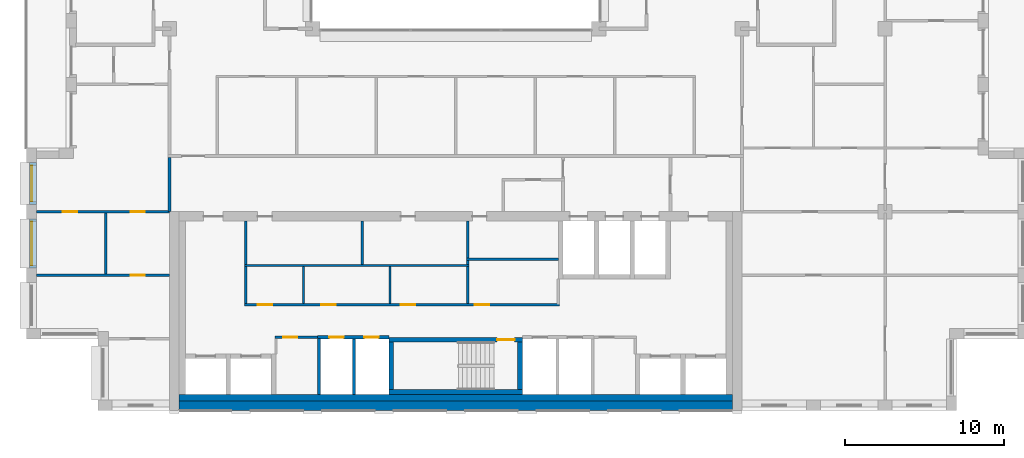
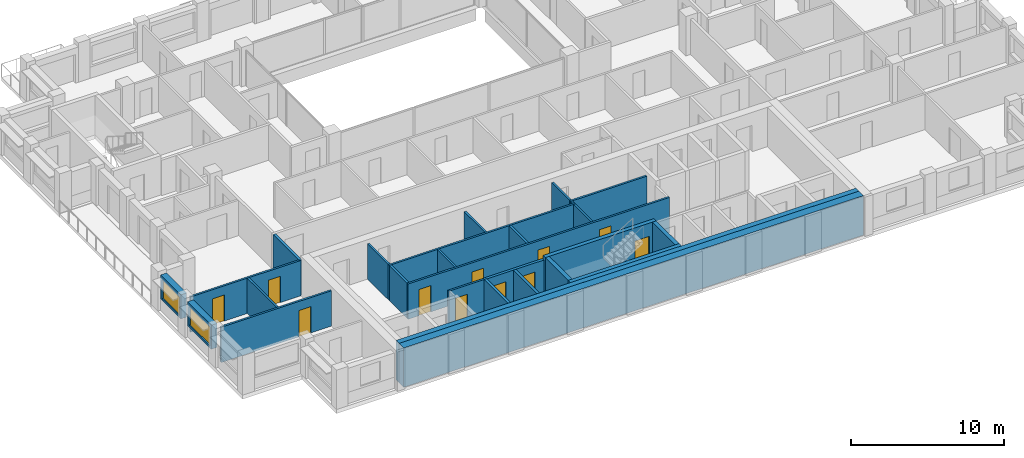
# One storey, part 8 of 15: 27 walls, 11 doors, 2 windows, 13 openings.
"""IFC4 building model written with IfcOpenShell, lengths in metres."""

from ifc_helpers import new_model, si_unit, direction, frame, frame_2d, origin, place, context, subcontext, project, spatial, rectangle, extrude, material, layer, layer_set, type_object, element, fill, save


model = new_model("IFC4")

# Units and contexts
model_context = context("Model", 3, precision=1e-05, world=origin(), true_north=direction((0.0, 1.0)))
body_context = subcontext(model_context, "Body", "Model", "MODEL_VIEW")
ifc_project = project(units=[si_unit("LENGTHUNIT", "METRE"), si_unit("AREAUNIT", "SQUARE_METRE"), si_unit("VOLUMEUNIT", "CUBIC_METRE"), si_unit("PLANEANGLEUNIT", "RADIAN"), si_unit("MASSUNIT", "GRAM", prefix="KILO")], contexts=[model_context])

# Site, building, storey
site_placement = place(None, origin())
site = spatial("IfcSite", under=ifc_project, at=site_placement, CompositionType="ELEMENT")
building_placement = place(site_placement, origin())
building = spatial("IfcBuilding", under=site, at=building_placement, Name="Brigalow Station Residences", CompositionType="ELEMENT")
storey_placement = place(building_placement, frame((0.0, 0.0, 207.449951171875)))
storey = spatial("IfcBuildingStorey", under=building, at=storey_placement, Name="L59", CompositionType="ELEMENT", Elevation=207.449951171875)

# Wall, opening, window
ifc_material_1 = material(Name="Clay brick masonry", Category="masonry")
ifc_layer_1 = layer(ifc_material_1, 0.449951171875)
ifc_layer_set_1 = layer_set([ifc_layer_1], Name="BRICK INFILL WALL 450")
wall_type_1 = type_object("IfcWallType", Name="BRICK INFILL WALL 450", PredefinedType="SOLIDWALL", material=ifc_layer_set_1)
wall_1_placement = place(storey_placement, frame((9.425048828125, 15.60009765625, 0.900146484375), z_axis=(0.0, 0.0, 1.0), x_axis=(0.0, -1.0, 0.0)))
wall_1 = element("IfcWall", 1, at=wall_1_placement, inside=storey, type_object=wall_type_1, Name="L59/ewall/W-L59-41", PredefinedType="SOLIDWALL", context=body_context, shape_type="SweptSolid", body=[
    extrude(rectangle(XDim=2.650146484375, YDim=0.449951171875, at=frame_2d((1.3251953125, 0.0))), origin(), (0.0, 0.0, 1.0), 1.929931640625),
])
opening_1_placement = place(wall_1_placement, frame((0.199951171875, 0.0, 0.14990234375)))
opening_1 = element("IfcOpeningElement", 2, at=opening_1_placement, cuts=wall_1, Name="Opening WT-6", PredefinedType="OPENING", context=body_context, shape_type="SweptSolid", body=[
    extrude(rectangle(XDim=2.25, YDim=1.5, at=frame_2d((1.125, 0.75))), frame((0.0, 0.23486328125, 0.0), z_axis=(0.0, -1.0, 0.0), x_axis=(1.0, 0.0, 0.0)), (0.0, 0.0, 1.0), 0.469970703125),
])
ifc_material_2 = material(Name="Anodised aluminium frame with double glazing", Category="aluminium")
window_type_1 = type_object("IfcWindowType", Name="WINDOW 2250x1500", PartitioningType="SINGLE_PANEL", PredefinedType="WINDOW", material=ifc_material_2)
window_1_placement = place(opening_1_placement, origin())
window_1 = element("IfcWindow", 3, at=window_1_placement, inside=storey, type_object=window_type_1, Name="L59/window/W-L59-41", OverallHeight=1.5, OverallWidth=2.25, PartitioningType="SINGLE_PANEL", PredefinedType="WINDOW", context=body_context, shape_type="SweptSolid", body=[
    extrude(rectangle(XDim=2.25, YDim=1.5, at=frame_2d((1.125, 0.75))), frame((0.0, -0.06494140625, 0.0), z_axis=(0.0, -1.0, 0.0), x_axis=(1.0, 0.0, 0.0)), (0.0, 0.0, 1.0), 0.06005859375),
])
fill(opening_1, window_1)

wall_2_placement = place(storey_placement, frame((9.425048828125, 12.050048828125, 0.900146484375), z_axis=(0.0, 0.0, 1.0), x_axis=(0.0, -1.0, 0.0)))
wall_2 = element("IfcWall", 4, at=wall_2_placement, inside=storey, type_object=wall_type_1, Name="L59/ewall/W-L59-42", PredefinedType="SOLIDWALL", context=body_context, shape_type="SweptSolid", body=[
    extrude(rectangle(XDim=3.10009765625, YDim=0.449951171875, at=frame_2d((1.550048828125, 0.0))), origin(), (0.0, 0.0, 1.0), 1.929931640625),
])
opening_2_placement = place(wall_2_placement, frame((0.175048828125, 0.0, 0.14990234375)))
opening_2 = element("IfcOpeningElement", 5, at=opening_2_placement, cuts=wall_2, Name="Opening WT-3", PredefinedType="OPENING", context=body_context, shape_type="SweptSolid", body=[
    extrude(rectangle(XDim=2.75, YDim=1.5, at=frame_2d((1.375, 0.75))), frame((0.0, 0.23486328125, 0.0), z_axis=(0.0, -1.0, 0.0), x_axis=(1.0, 0.0, 0.0)), (0.0, 0.0, 1.0), 0.469970703125),
])
ifc_material_3 = material(Name="Anodised aluminium frame with double glazing", Category="aluminium")
window_type_2 = type_object("IfcWindowType", Name="WINDOW 2750x1500", PartitioningType="SINGLE_PANEL", PredefinedType="WINDOW", material=ifc_material_3)
window_2_placement = place(opening_2_placement, origin())
window_2 = element("IfcWindow", 6, at=window_2_placement, inside=storey, type_object=window_type_2, Name="L59/window/W-L59-42", OverallHeight=1.5, OverallWidth=2.75, PartitioningType="SINGLE_PANEL", PredefinedType="WINDOW", context=body_context, shape_type="SweptSolid", body=[
    extrude(rectangle(XDim=2.75, YDim=1.5, at=frame_2d((1.375, 0.75))), frame((0.0, -0.06494140625, 0.0), z_axis=(0.0, -1.0, 0.0), x_axis=(1.0, 0.0, 0.0)), (0.0, 0.0, 1.0), 0.06005859375),
])
fill(opening_2, window_2)

# Wall
ifc_material_4 = material(Name="Concrete C50", Category="concrete")
ifc_layer_2 = layer(ifc_material_4, 0.300048828125)
ifc_layer_set_2 = layer_set([ifc_layer_2], Name="CORE SHEAR WALL 300 C50")
wall_type_2 = type_object("IfcWallType", Name="CORE SHEAR WALL 300 C50", PredefinedType="SHEAR", material=ifc_layer_set_2)
wall_3_placement = place(storey_placement, frame((31.800048828125, 1.14990234375, 0.0), z_axis=(0.0, 0.0, 1.0), x_axis=(1.0, 0.0, 0.0)))
element("IfcWall", 7, at=wall_3_placement, inside=storey, type_object=wall_type_2, Name="CORE WALL ST-S2-S L59", PredefinedType="SHEAR", context=body_context, shape_type="SweptSolid", body=[
    extrude(rectangle(XDim=8.39990234375, YDim=0.300048828125, at=frame_2d((4.199951171875, 0.0))), origin(), (0.0, 0.0, 1.0), 3.150146484375),
])

# Wall, opening, door
wall_4_placement = place(storey_placement, frame((31.800048828125, 4.449951171875, 0.0), z_axis=(0.0, 0.0, 1.0), x_axis=(1.0, 0.0, 0.0)))
wall_4 = element("IfcWall", 8, at=wall_4_placement, inside=storey, type_object=wall_type_2, Name="CORE WALL ST-S2-N L59", PredefinedType="SHEAR", context=body_context, shape_type="SweptSolid", body=[
    extrude(rectangle(XDim=8.39990234375, YDim=0.300048828125, at=frame_2d((4.199951171875, 0.0))), origin(), (0.0, 0.0, 1.0), 3.150146484375),
])
opening_3_placement = place(wall_4_placement, frame((6.800048828125, 0.0, 0.0)))
opening_3 = element("IfcOpeningElement", 9, at=opening_3_placement, cuts=wall_4, Name="Opening D-5001", PredefinedType="OPENING", context=body_context, shape_type="SweptSolid", body=[
    extrude(rectangle(XDim=1.10009765625, YDim=2.10009765625, at=frame_2d((0.550048828125, 1.050048828125))), frame((0.0, 0.16015625, 0.0), z_axis=(0.0, -1.0, 0.0), x_axis=(1.0, 0.0, 0.0)), (0.0, 0.0, 1.0), 0.320068359375),
])
ifc_material_5 = material(Name="Steel fire door leaf in steel frame", Category="steel")
door_type_1 = type_object("IfcDoorType", Name="STAIR DOOR 1100 x 2100 FD60S", OperationType="SINGLE_SWING_LEFT", PredefinedType="DOOR", material=ifc_material_5)
door_1_placement = place(opening_3_placement, frame((1.10009765625, 0.0, 0.0), z_axis=(0.0, 0.0, 1.0), x_axis=(-1.0, 0.0, 0.0)))
door_1 = element("IfcDoor", 10, at=door_1_placement, inside=storey, type_object=door_type_1, Name="D-5001", OperationType="SINGLE_SWING_LEFT", OverallHeight=2.10009765625, OverallWidth=1.10009765625, PredefinedType="DOOR", context=body_context, shape_type="SweptSolid", body=[
    extrude(rectangle(XDim=1.10009765625, YDim=2.10009765625, at=frame_2d((0.550048828125, 1.050048828125))), frame((0.0, 0.02490234375, 0.0), z_axis=(0.0, -1.0, 0.0), x_axis=(1.0, 0.0, 0.0)), (0.0, 0.0, 1.0), 0.050048828125),
])
fill(opening_3, door_1)

# Walls
for number, where, z_axis, x_axis, name in (
    (11, (31.949951171875, 1.300048828125, 0.0), (0.0, 0.0, 1.0), (0.0, 1.0, 0.0), "CORE WALL ST-S2-W L59"),
    (12, (40.050048828125, 1.300048828125, 0.0), (0.0, 0.0, 1.0), (0.0, 1.0, 0.0), "CORE WALL ST-S2-E L59"),
):
    element("IfcWall", number, at=place(storey_placement, frame(where, z_axis=z_axis, x_axis=x_axis)), inside=storey, type_object=wall_type_2, Name=name, PredefinedType="SHEAR", context=body_context, shape_type="SweptSolid", body=[
        extrude(rectangle(XDim=3.0, YDim=0.300048828125, at=frame_2d((1.5, 0.0))), origin(), (0.0, 0.0, 1.0), 3.150146484375),
    ])
ifc_material_6 = material(Name="Concrete C50", Category="concrete")
ifc_layer_3 = layer(ifc_material_6, 0.39990234375)
ifc_layer_set_3 = layer_set([ifc_layer_3], Name="CORE SHEAR WALL 400 C50")
wall_type_3 = type_object("IfcWallType", Name="CORE SHEAR WALL 400 C50", PredefinedType="SHEAR", material=ifc_layer_set_3)
wall_5_placement = place(storey_placement, frame((18.60009765625, 0.800048828125, 0.0), z_axis=(0.0, 0.0, 1.0), x_axis=(1.0, 0.0, 0.0)))
element("IfcWall", 13, at=wall_5_placement, inside=storey, type_object=wall_type_3, Name="CORE WALL LIN-S L59", PredefinedType="SHEAR", context=body_context, shape_type="SweptSolid", body=[
    extrude(rectangle(XDim=34.7998046875, YDim=0.39990234375, at=frame_2d((17.39990234375, 0.0))), origin(), (0.0, 0.0, 1.0), 3.150146484375),
])
ifc_material_7 = material(Name="Concrete C50", Category="concrete")
ifc_layer_4 = layer(ifc_material_7, 0.60009765625)
ifc_layer_set_4 = layer_set([ifc_layer_4], Name="CORE SHEAR WALL 600 C50")
wall_type_4 = type_object("IfcWallType", Name="CORE SHEAR WALL 600 C50", PredefinedType="SHEAR", material=ifc_layer_set_4)
wall_6_placement = place(storey_placement, frame((18.60009765625, 0.300048828125, 0.0), z_axis=(0.0, 0.0, 1.0), x_axis=(1.0, 0.0, 0.0)))
element("IfcWall", 14, at=wall_6_placement, inside=storey, type_object=wall_type_4, Name="CORE WALL OUT-S L59", PredefinedType="SHEAR", context=body_context, shape_type="SweptSolid", body=[
    extrude(rectangle(XDim=34.7998046875, YDim=0.60009765625, at=frame_2d((17.39990234375, 0.0))), origin(), (0.0, 0.0, 1.0), 3.150146484375),
])

# Wall, openings, doors
ifc_material_8 = material(Name="Concrete blockwork", Category="masonry")
ifc_layer_5 = layer(ifc_material_8, 0.199951171875)
ifc_layer_set_5 = layer_set([ifc_layer_5], Name="FIRE RATED CORE PARTITION 200")
wall_type_5 = type_object("IfcWallType", Name="FIRE RATED CORE PARTITION 200", PredefinedType="PARTITIONING", material=ifc_layer_set_5)
wall_7_placement = place(storey_placement, frame((27.300048828125, 4.60009765625, 0.0), z_axis=(0.0, 0.0, 1.0), x_axis=(1.0, 0.0, 0.0)))
wall_7 = element("IfcWall", 15, at=wall_7_placement, inside=storey, type_object=wall_type_5, Name="PW-5017", PredefinedType="PARTITIONING", context=body_context, shape_type="SweptSolid", body=[
    extrude(rectangle(XDim=4.5, YDim=0.199951171875, at=frame_2d((2.25, 0.0))), origin(), (0.0, 0.0, 1.0), 2.830078125),
])
opening_4_placement = place(wall_7_placement, frame((0.75, 0.0, 0.0)))
opening_4 = element("IfcOpeningElement", 16, at=opening_4_placement, cuts=wall_7, Name="Opening D-5007", PredefinedType="OPENING", context=body_context, shape_type="SweptSolid", body=[
    extrude(rectangle(XDim=0.89990234375, YDim=2.10009765625, at=frame_2d((0.449951171875, 1.050048828125))), frame((0.0, 0.10986328125, 0.0), z_axis=(0.0, -1.0, 0.0), x_axis=(1.0, 0.0, 0.0)), (0.0, 0.0, 1.0), 0.219970703125),
])
opening_5_placement = place(wall_7_placement, frame((2.949951171875, 0.0, 0.0)))
opening_5 = element("IfcOpeningElement", 17, at=opening_5_placement, cuts=wall_7, Name="Opening D-5008", PredefinedType="OPENING", context=body_context, shape_type="SweptSolid", body=[
    extrude(rectangle(XDim=0.89990234375, YDim=2.10009765625, at=frame_2d((0.449951171875, 1.050048828125))), frame((0.0, 0.10986328125, 0.0), z_axis=(0.0, -1.0, 0.0), x_axis=(1.0, 0.0, 0.0)), (0.0, 0.0, 1.0), 0.219970703125),
])
ifc_material_9 = material(Name="Steel fire door leaf in steel frame", Category="steel")
door_type_2 = type_object("IfcDoorType", Name="RISER ACCESS DOOR 900 x 2100 FD120", OperationType="SINGLE_SWING_LEFT", PredefinedType="DOOR", material=ifc_material_9)
door_2_placement = place(opening_4_placement, frame((0.89990234375, 0.0, 0.0), z_axis=(0.0, 0.0, 1.0), x_axis=(-1.0, 0.0, 0.0)))
door_2 = element("IfcDoor", 18, at=door_2_placement, inside=storey, type_object=door_type_2, Name="D-5007", OperationType="SINGLE_SWING_RIGHT", OverallHeight=2.10009765625, OverallWidth=0.89990234375, PredefinedType="DOOR", context=body_context, shape_type="SweptSolid", body=[
    extrude(rectangle(XDim=0.89990234375, YDim=2.10009765625, at=frame_2d((0.449951171875, 1.050048828125))), frame((0.0, 0.02490234375, 0.0), z_axis=(0.0, -1.0, 0.0), x_axis=(1.0, 0.0, 0.0)), (0.0, 0.0, 1.0), 0.050048828125),
])
fill(opening_4, door_2)
door_3_placement = place(opening_5_placement, frame((0.89990234375, 0.0, 0.0), z_axis=(0.0, 0.0, 1.0), x_axis=(-1.0, 0.0, 0.0)))
door_3 = element("IfcDoor", 19, at=door_3_placement, inside=storey, type_object=door_type_2, Name="D-5008", OperationType="SINGLE_SWING_RIGHT", OverallHeight=2.10009765625, OverallWidth=0.89990234375, PredefinedType="DOOR", context=body_context, shape_type="SweptSolid", body=[
    extrude(rectangle(XDim=0.89990234375, YDim=2.10009765625, at=frame_2d((0.449951171875, 1.050048828125))), frame((0.0, 0.02490234375, 0.0), z_axis=(0.0, -1.0, 0.0), x_axis=(1.0, 0.0, 0.0)), (0.0, 0.0, 1.0), 0.050048828125),
])
fill(opening_5, door_3)

# Walls
wall_8_placement = place(storey_placement, frame((27.39990234375, 1.0, 0.0), z_axis=(0.0, 0.0, 1.0), x_axis=(0.0, 1.0, 0.0)))
element("IfcWall", 20, at=wall_8_placement, inside=storey, type_object=wall_type_5, Name="PW-5027", PredefinedType="PARTITIONING", context=body_context, shape_type="SweptSolid", body=[
    extrude(rectangle(XDim=3.52490234375, YDim=0.199951171875, at=frame_2d((1.762451171875, 0.0))), origin(), (0.0, 0.0, 1.0), 2.830078125),
])
wall_9_placement = place(storey_placement, frame((29.60009765625, 1.0, 0.0), z_axis=(0.0, 0.0, 1.0), x_axis=(0.0, 1.0, 0.0)))
element("IfcWall", 21, at=wall_9_placement, inside=storey, type_object=wall_type_5, Name="PW-5006", PredefinedType="PARTITIONING", context=body_context, shape_type="SweptSolid", body=[
    extrude(rectangle(XDim=3.5, YDim=0.199951171875, at=frame_2d((1.75, 0.0))), origin(), (0.0, 0.0, 1.0), 2.830078125),
])
wall_10_placement = place(storey_placement, frame((18.0, 12.5, 0.0), z_axis=(0.0, 0.0, 1.0), x_axis=(0.0, 1.0, 0.0)))
element("IfcWall", 22, at=wall_10_placement, inside=storey, type_object=wall_type_5, Name="PW-5013", PredefinedType="PARTITIONING", context=body_context, shape_type="SweptSolid", body=[
    extrude(rectangle(XDim=3.39990234375, YDim=0.199951171875, at=frame_2d((1.699951171875, 0.0))), origin(), (0.0, 0.0, 1.0), 2.830078125),
])

# Wall, openings, doors
ifc_material_10 = material(Name="Plasterboard on steel stud partition", Category="steel")
ifc_layer_6 = layer(ifc_material_10, 0.14990234375)
ifc_layer_set_6 = layer_set([ifc_layer_6], Name="FLAT PARTITION 150")
wall_type_6 = type_object("IfcWallType", Name="FLAT PARTITION 150", PredefinedType="PARTITIONING", material=ifc_layer_set_6)
wall_11_placement = place(storey_placement, frame((9.64990234375, 12.5, 0.0), z_axis=(0.0, 0.0, 1.0), x_axis=(1.0, 0.0, 0.0)))
wall_11 = element("IfcWall", 23, at=wall_11_placement, inside=storey, type_object=wall_type_6, Name="PW-4B10", PredefinedType="PARTITIONING", context=body_context, shape_type="SweptSolid", body=[
    extrude(rectangle(XDim=8.35009765625, YDim=0.14990234375, at=frame_2d((4.175048828125, 0.0))), origin(), (0.0, 0.0, 1.0), 2.830078125),
])
opening_6_placement = place(wall_11_placement, frame((1.64990234375, 0.0, 0.0)))
opening_6 = element("IfcOpeningElement", 24, at=opening_6_placement, cuts=wall_11, Name="Opening D-4B06", PredefinedType="OPENING", context=body_context, shape_type="SweptSolid", body=[
    extrude(rectangle(XDim=0.89990234375, YDim=2.10009765625, at=frame_2d((0.449951171875, 1.050048828125))), frame((0.0, 0.0849609375, 0.0), z_axis=(0.0, -1.0, 0.0), x_axis=(1.0, 0.0, 0.0)), (0.0, 0.0, 1.0), 0.169921875),
])
opening_7_placement = place(wall_11_placement, frame((5.89990234375, 0.0, 0.0)))
opening_7 = element("IfcOpeningElement", 25, at=opening_7_placement, cuts=wall_11, Name="Opening D-4B07", PredefinedType="OPENING", context=body_context, shape_type="SweptSolid", body=[
    extrude(rectangle(XDim=0.89990234375, YDim=2.10009765625, at=frame_2d((0.449951171875, 1.050048828125))), frame((0.0, 0.0849609375, 0.0), z_axis=(0.0, -1.0, 0.0), x_axis=(1.0, 0.0, 0.0)), (0.0, 0.0, 1.0), 0.169921875),
])
ifc_material_11 = material(Name="Solid-core timber door leaf", Category="wood")
door_type_3 = type_object("IfcDoorType", Name="INTERNAL DOOR 900 x 2100", OperationType="SINGLE_SWING_LEFT", PredefinedType="DOOR", material=ifc_material_11)
door_4_placement = place(opening_6_placement, frame((0.89990234375, 0.0, 0.0), z_axis=(0.0, 0.0, 1.0), x_axis=(-1.0, 0.0, 0.0)))
door_4 = element("IfcDoor", 26, at=door_4_placement, inside=storey, type_object=door_type_3, Name="D-4B06", OperationType="SINGLE_SWING_RIGHT", OverallHeight=2.10009765625, OverallWidth=0.89990234375, PredefinedType="DOOR", context=body_context, shape_type="SweptSolid", body=[
    extrude(rectangle(XDim=0.89990234375, YDim=2.10009765625, at=frame_2d((0.449951171875, 1.050048828125))), frame((0.0, 0.02490234375, 0.0), z_axis=(0.0, -1.0, 0.0), x_axis=(1.0, 0.0, 0.0)), (0.0, 0.0, 1.0), 0.050048828125),
])
fill(opening_6, door_4)
door_5_placement = place(opening_7_placement, origin())
door_5 = element("IfcDoor", 27, at=door_5_placement, inside=storey, type_object=door_type_3, Name="D-4B07", OperationType="SINGLE_SWING_RIGHT", OverallHeight=2.10009765625, OverallWidth=0.89990234375, PredefinedType="DOOR", context=body_context, shape_type="SweptSolid", body=[
    extrude(rectangle(XDim=0.89990234375, YDim=2.10009765625, at=frame_2d((0.449951171875, 1.050048828125))), frame((0.0, 0.02490234375, 0.0), z_axis=(0.0, -1.0, 0.0), x_axis=(1.0, 0.0, 0.0)), (0.0, 0.0, 1.0), 0.050048828125),
])
fill(opening_7, door_5)

# Wall, opening, door
wall_12_placement = place(storey_placement, frame((9.64990234375, 8.5, 0.0), z_axis=(0.0, 0.0, 1.0), x_axis=(1.0, 0.0, 0.0)))
wall_12 = element("IfcWall", 28, at=wall_12_placement, inside=storey, type_object=wall_type_6, Name="PW-4B12", PredefinedType="PARTITIONING", context=body_context, shape_type="SweptSolid", body=[
    extrude(rectangle(XDim=8.35009765625, YDim=0.14990234375, at=frame_2d((4.175048828125, 0.0))), origin(), (0.0, 0.0, 1.0), 2.830078125),
])
opening_8_placement = place(wall_12_placement, frame((5.89990234375, 0.0, 0.0)))
opening_8 = element("IfcOpeningElement", 29, at=opening_8_placement, cuts=wall_12, Name="Opening D-4B08", PredefinedType="OPENING", context=body_context, shape_type="SweptSolid", body=[
    extrude(rectangle(XDim=0.89990234375, YDim=2.10009765625, at=frame_2d((0.449951171875, 1.050048828125))), frame((0.0, 0.0849609375, 0.0), z_axis=(0.0, -1.0, 0.0), x_axis=(1.0, 0.0, 0.0)), (0.0, 0.0, 1.0), 0.169921875),
])
door_6_placement = place(opening_8_placement, frame((0.89990234375, 0.0, 0.0), z_axis=(0.0, 0.0, 1.0), x_axis=(-1.0, 0.0, 0.0)))
door_6 = element("IfcDoor", 30, at=door_6_placement, inside=storey, type_object=door_type_3, Name="D-4B08", OperationType="SINGLE_SWING_LEFT", OverallHeight=2.10009765625, OverallWidth=0.89990234375, PredefinedType="DOOR", context=body_context, shape_type="SweptSolid", body=[
    extrude(rectangle(XDim=0.89990234375, YDim=2.10009765625, at=frame_2d((0.449951171875, 1.050048828125))), frame((0.0, 0.02490234375, 0.0), z_axis=(0.0, -1.0, 0.0), x_axis=(1.0, 0.0, 0.0)), (0.0, 0.0, 1.0), 0.050048828125),
])
fill(opening_8, door_6)

# Wall
wall_13_placement = place(storey_placement, frame((14.0, 8.574951171875, 0.0), z_axis=(0.0, 0.0, 1.0), x_axis=(0.0, 1.0, 0.0)))
element("IfcWall", 31, at=wall_13_placement, inside=storey, type_object=wall_type_6, Name="PW-4B38", PredefinedType="PARTITIONING", context=body_context, shape_type="SweptSolid", body=[
    extrude(rectangle(XDim=3.85009765625, YDim=0.14990234375, at=frame_2d((1.925048828125, 0.0))), origin(), (0.0, 0.0, 1.0), 2.830078125),
])

# Wall, opening, door
ifc_material_12 = material(Name="Plasterboard on steel studs", Category="steel")
ifc_layer_7 = layer(ifc_material_12, 0.14990234375)
ifc_layer_set_7 = layer_set([ifc_layer_7], Name="SERVICE ROOM PARTITION 150")
wall_type_7 = type_object("IfcWallType", Name="SERVICE ROOM PARTITION 150", PredefinedType="PARTITIONING", material=ifc_layer_set_7)
wall_14_placement = place(storey_placement, frame((24.625, 4.60009765625, 0.0), z_axis=(0.0, 0.0, 1.0), x_axis=(1.0, 0.0, 0.0)))
wall_14 = element("IfcWall", 32, at=wall_14_placement, inside=storey, type_object=wall_type_7, Name="PW-5155", PredefinedType="PARTITIONING", context=body_context, shape_type="SweptSolid", body=[
    extrude(rectangle(XDim=2.675048828125, YDim=0.14990234375, at=frame_2d((1.33740234375, 0.0))), origin(), (0.0, 0.0, 1.0), 2.830078125),
])
opening_9_placement = place(wall_14_placement, frame((0.52490234375, 0.0, 0.0)))
opening_9 = element("IfcOpeningElement", 33, at=opening_9_placement, cuts=wall_14, Name="Opening D-5087", PredefinedType="OPENING", context=body_context, shape_type="SweptSolid", body=[
    extrude(rectangle(XDim=0.89990234375, YDim=2.10009765625, at=frame_2d((0.449951171875, 1.050048828125))), frame((0.0, 0.0849609375, 0.0), z_axis=(0.0, -1.0, 0.0), x_axis=(1.0, 0.0, 0.0)), (0.0, 0.0, 1.0), 0.169921875),
])
ifc_material_13 = material(Name="Steel door leaf in steel frame", Category="steel")
door_type_4 = type_object("IfcDoorType", Name="SERVICE ROOM DOOR 900 x 2100 FD60", OperationType="SINGLE_SWING_LEFT", PredefinedType="DOOR", material=ifc_material_13)
door_7_placement = place(opening_9_placement, frame((0.89990234375, 0.0, 0.0), z_axis=(0.0, 0.0, 1.0), x_axis=(-1.0, 0.0, 0.0)))
door_7 = element("IfcDoor", 34, at=door_7_placement, inside=storey, type_object=door_type_4, Name="D-5087", OperationType="SINGLE_SWING_RIGHT", OverallHeight=2.10009765625, OverallWidth=0.89990234375, PredefinedType="DOOR", context=body_context, shape_type="SweptSolid", body=[
    extrude(rectangle(XDim=0.89990234375, YDim=2.10009765625, at=frame_2d((0.449951171875, 1.050048828125))), frame((0.0, 0.02490234375, 0.0), z_axis=(0.0, -1.0, 0.0), x_axis=(1.0, 0.0, 0.0)), (0.0, 0.0, 1.0), 0.050048828125),
])
fill(opening_9, door_7)

# Wall, openings, doors
wall_15_placement = place(storey_placement, frame((22.72509765625, 6.64990234375, 0.0), z_axis=(0.0, 0.0, 1.0), x_axis=(1.0, 0.0, 0.0)))
wall_15 = element("IfcWall", 35, at=wall_15_placement, inside=storey, type_object=wall_type_7, Name="PW-5195", PredefinedType="PARTITIONING", context=body_context, shape_type="SweptSolid", body=[
    extrude(rectangle(XDim=19.7998046875, YDim=0.14990234375, at=frame_2d((9.89990234375, 0.0))), origin(), (0.0, 0.0, 1.0), 2.830078125),
])
opening_10_placement = place(wall_15_placement, frame((0.824951171875, 0.0, 0.0)))
opening_10 = element("IfcOpeningElement", 36, at=opening_10_placement, cuts=wall_15, Name="Opening D-5110", PredefinedType="OPENING", context=body_context, shape_type="SweptSolid", body=[
    extrude(rectangle(XDim=0.89990234375, YDim=2.10009765625, at=frame_2d((0.449951171875, 1.050048828125))), frame((0.0, 0.0849609375, 0.0), z_axis=(0.0, -1.0, 0.0), x_axis=(1.0, 0.0, 0.0)), (0.0, 0.0, 1.0), 0.169921875),
])
opening_11_placement = place(wall_15_placement, frame((4.824951171875, 0.0, 0.0)))
opening_11 = element("IfcOpeningElement", 37, at=opening_11_placement, cuts=wall_15, Name="Opening D-5116", PredefinedType="OPENING", context=body_context, shape_type="SweptSolid", body=[
    extrude(rectangle(XDim=0.89990234375, YDim=2.10009765625, at=frame_2d((0.449951171875, 1.050048828125))), frame((0.0, 0.0849609375, 0.0), z_axis=(0.0, -1.0, 0.0), x_axis=(1.0, 0.0, 0.0)), (0.0, 0.0, 1.0), 0.169921875),
])
opening_12_placement = place(wall_15_placement, frame((9.824951171875, 0.0, 0.0)))
opening_12 = element("IfcOpeningElement", 38, at=opening_12_placement, cuts=wall_15, Name="Opening D-5117", PredefinedType="OPENING", context=body_context, shape_type="SweptSolid", body=[
    extrude(rectangle(XDim=0.89990234375, YDim=2.10009765625, at=frame_2d((0.449951171875, 1.050048828125))), frame((0.0, 0.0849609375, 0.0), z_axis=(0.0, -1.0, 0.0), x_axis=(1.0, 0.0, 0.0)), (0.0, 0.0, 1.0), 0.169921875),
])
opening_13_placement = place(wall_15_placement, frame((14.47509765625, 0.0, 0.0)))
opening_13 = element("IfcOpeningElement", 39, at=opening_13_placement, cuts=wall_15, Name="Opening D-5114", PredefinedType="OPENING", context=body_context, shape_type="SweptSolid", body=[
    extrude(rectangle(XDim=0.89990234375, YDim=2.10009765625, at=frame_2d((0.449951171875, 1.050048828125))), frame((0.0, 0.0849609375, 0.0), z_axis=(0.0, -1.0, 0.0), x_axis=(1.0, 0.0, 0.0)), (0.0, 0.0, 1.0), 0.169921875),
])
door_8_placement = place(opening_10_placement, origin())
door_8 = element("IfcDoor", 40, at=door_8_placement, inside=storey, type_object=door_type_4, Name="D-5110", OperationType="SINGLE_SWING_LEFT", OverallHeight=2.10009765625, OverallWidth=0.89990234375, PredefinedType="DOOR", context=body_context, shape_type="SweptSolid", body=[
    extrude(rectangle(XDim=0.89990234375, YDim=2.10009765625, at=frame_2d((0.449951171875, 1.050048828125))), frame((0.0, 0.02490234375, 0.0), z_axis=(0.0, -1.0, 0.0), x_axis=(1.0, 0.0, 0.0)), (0.0, 0.0, 1.0), 0.050048828125),
])
fill(opening_10, door_8)
door_9_placement = place(opening_11_placement, origin())
door_9 = element("IfcDoor", 41, at=door_9_placement, inside=storey, type_object=door_type_4, Name="D-5116", OperationType="SINGLE_SWING_LEFT", OverallHeight=2.10009765625, OverallWidth=0.89990234375, PredefinedType="DOOR", context=body_context, shape_type="SweptSolid", body=[
    extrude(rectangle(XDim=0.89990234375, YDim=2.10009765625, at=frame_2d((0.449951171875, 1.050048828125))), frame((0.0, 0.02490234375, 0.0), z_axis=(0.0, -1.0, 0.0), x_axis=(1.0, 0.0, 0.0)), (0.0, 0.0, 1.0), 0.050048828125),
])
fill(opening_11, door_9)
door_10_placement = place(opening_12_placement, origin())
door_10 = element("IfcDoor", 42, at=door_10_placement, inside=storey, type_object=door_type_4, Name="D-5117", OperationType="SINGLE_SWING_LEFT", OverallHeight=2.10009765625, OverallWidth=0.89990234375, PredefinedType="DOOR", context=body_context, shape_type="SweptSolid", body=[
    extrude(rectangle(XDim=0.89990234375, YDim=2.10009765625, at=frame_2d((0.449951171875, 1.050048828125))), frame((0.0, 0.02490234375, 0.0), z_axis=(0.0, -1.0, 0.0), x_axis=(1.0, 0.0, 0.0)), (0.0, 0.0, 1.0), 0.050048828125),
])
fill(opening_12, door_10)
door_11_placement = place(opening_13_placement, origin())
door_11 = element("IfcDoor", 43, at=door_11_placement, inside=storey, type_object=door_type_4, Name="D-5114", OperationType="SINGLE_SWING_LEFT", OverallHeight=2.10009765625, OverallWidth=0.89990234375, PredefinedType="DOOR", context=body_context, shape_type="SweptSolid", body=[
    extrude(rectangle(XDim=0.89990234375, YDim=2.10009765625, at=frame_2d((0.449951171875, 1.050048828125))), frame((0.0, 0.02490234375, 0.0), z_axis=(0.0, -1.0, 0.0), x_axis=(1.0, 0.0, 0.0)), (0.0, 0.0, 1.0), 0.050048828125),
])
fill(opening_13, door_11)

# Walls
wall_16_placement = place(storey_placement, frame((22.72509765625, 9.110107421875, 0.0), z_axis=(0.0, 0.0, 1.0), x_axis=(1.0, 0.0, 0.0)))
element("IfcWall", 44, at=wall_16_placement, inside=storey, type_object=wall_type_7, Name="PW-5214", PredefinedType="PARTITIONING", context=body_context, shape_type="SweptSolid", body=[
    extrude(rectangle(XDim=14.099853515625, YDim=0.14990234375, at=frame_2d((7.0498046875, 0.0))), origin(), (0.0, 0.0, 1.0), 2.830078125),
])
wall_17_placement = place(storey_placement, frame((36.675048828125, 9.5, 0.0), z_axis=(0.0, 0.0, 1.0), x_axis=(1.0, 0.0, 0.0)))
element("IfcWall", 45, at=wall_17_placement, inside=storey, type_object=wall_type_7, Name="PW-5215", PredefinedType="PARTITIONING", context=body_context, shape_type="SweptSolid", body=[
    extrude(rectangle(XDim=5.77490234375, YDim=0.14990234375, at=frame_2d((2.887451171875, 0.0))), origin(), (0.0, 0.0, 1.0), 2.830078125),
])
for number, where, z_axis, x_axis, name in (
    (46, (22.800048828125, 6.72509765625, 0.0), (0.0, 0.0, 1.0), (0.0, 1.0, 0.0), "PW-5216"),
    (47, (26.429931640625, 6.72509765625, 0.0), (0.0, 0.0, 1.0), (0.0, 1.0, 0.0), "PW-5217"),
    (48, (31.8701171875, 6.72509765625, 0.0), (0.0, 0.0, 1.0), (0.0, 1.0, 0.0), "PW-5218"),
    (49, (36.75, 6.72509765625, 0.0), (0.0, 0.0, 1.0), (0.0, 1.0, 0.0), "PW-5219"),
):
    element("IfcWall", number, at=place(storey_placement, frame(where, z_axis=z_axis, x_axis=x_axis)), inside=storey, type_object=wall_type_7, Name=name, PredefinedType="PARTITIONING", context=body_context, shape_type="SweptSolid", body=[
        extrude(rectangle(XDim=2.309814453125, YDim=0.14990234375, at=frame_2d((1.15478515625, 0.0))), origin(), (0.0, 0.0, 1.0), 2.830078125),
    ])
for number, where, z_axis, x_axis, name in (
    (50, (22.800048828125, 9.18505859375, 0.0), (0.0, 0.0, 1.0), (0.0, 1.0, 0.0), "PW-5220"),
    (51, (30.1201171875, 9.18505859375, 0.0), (0.0, 0.0, 1.0), (0.0, 1.0, 0.0), "PW-5221"),
):
    element("IfcWall", number, at=place(storey_placement, frame(where, z_axis=z_axis, x_axis=x_axis)), inside=storey, type_object=wall_type_7, Name=name, PredefinedType="PARTITIONING", context=body_context, shape_type="SweptSolid", body=[
        extrude(rectangle(XDim=2.71484375, YDim=0.14990234375, at=frame_2d((1.357421875, 0.0))), origin(), (0.0, 0.0, 1.0), 2.830078125),
    ])
wall_18_placement = place(storey_placement, frame((36.75, 9.18505859375, 0.0), z_axis=(0.0, 0.0, 1.0), x_axis=(0.0, 1.0, 0.0)))
element("IfcWall", 52, at=wall_18_placement, inside=storey, type_object=wall_type_7, Name="PW-5222", PredefinedType="PARTITIONING", context=body_context, shape_type="SweptSolid", body=[
    extrude(rectangle(XDim=0.239990234375, YDim=0.14990234375, at=frame_2d((0.1201171875, 0.0))), origin(), (0.0, 0.0, 1.0), 2.830078125),
])
wall_19_placement = place(storey_placement, frame((36.75, 9.574951171875, 0.0), z_axis=(0.0, 0.0, 1.0), x_axis=(0.0, 1.0, 0.0)))
element("IfcWall", 53, at=wall_19_placement, inside=storey, type_object=wall_type_7, Name="PW-5223", PredefinedType="PARTITIONING", context=body_context, shape_type="SweptSolid", body=[
    extrude(rectangle(XDim=2.324951171875, YDim=0.14990234375, at=frame_2d((1.16259765625, 0.0))), origin(), (0.0, 0.0, 1.0), 2.830078125),
])

save(model, "model.ifc")
